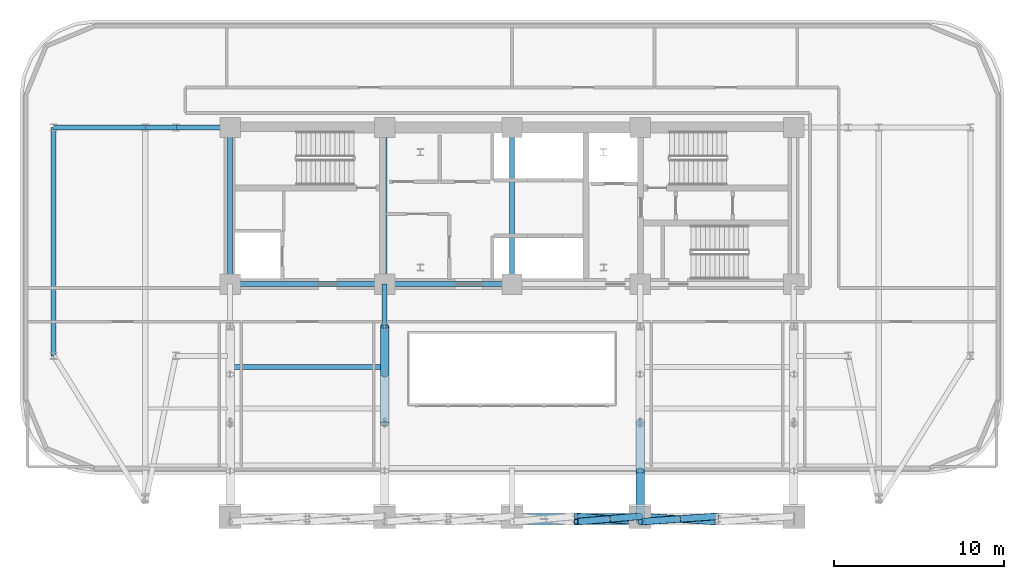
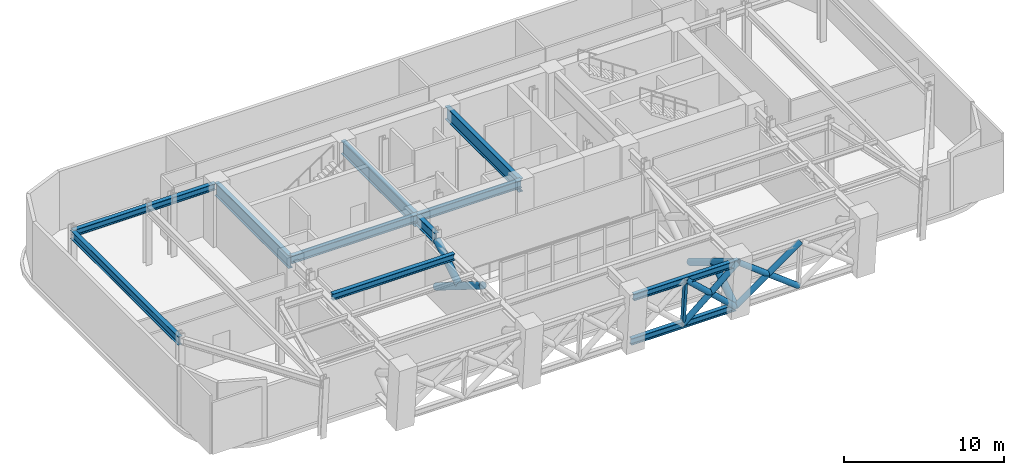
# One storey, part 3 of 13: 13 members, 11 beams.
"""IFC4 building model written with IfcOpenShell, lengths in metres."""

from ifc_helpers import new_model, si_unit, direction, frame, origin, origin_2d, place, context, subcontext, project, spatial, hollow_rectangle, hollow_circle, i_section, extrude, material, material_profile, profile_set, type_object, element, save


model = new_model("IFC4")

# Units and contexts
model_context = context("Model", 3, precision=1e-05, world=origin(), true_north=direction((0.0, 1.0)))
body_context = subcontext(model_context, "Body", "Model", "MODEL_VIEW")
ifc_project = project(units=[si_unit("LENGTHUNIT", "METRE"), si_unit("AREAUNIT", "SQUARE_METRE"), si_unit("VOLUMEUNIT", "CUBIC_METRE"), si_unit("PLANEANGLEUNIT", "RADIAN"), si_unit("MASSUNIT", "GRAM", prefix="KILO")], contexts=[model_context])

# Site, building, storey
site_placement = place(None, origin())
site = spatial("IfcSite", under=ifc_project, at=site_placement, CompositionType="ELEMENT")
building_placement = place(site_placement, origin())
building = spatial("IfcBuilding", under=site, at=building_placement, Name="Zarnavel Station Tower", CompositionType="ELEMENT")
storey_placement = place(building_placement, frame((0.0, 0.0, 132.89990234375)))
storey = spatial("IfcBuildingStorey", under=building, at=storey_placement, Name="L36", CompositionType="ELEMENT", Elevation=132.89990234375)

# Members
ifc_material_1 = material(Name="Steel S460M", Category="steel")
ifc_material_profile_1 = material_profile(ifc_material_1, i_section(OverallWidth=0.300048828125, OverallDepth=0.5, WebThickness=0.014404296875, FlangeThickness=0.028076171875, FilletRadius=0.027099609375, at=origin_2d()), Name="HEB500")
ifc_profile_set_1 = profile_set([ifc_material_profile_1], Name="Steel S460M")
member_type_1 = type_object("IfcMemberType", Name="BT_CHORD_HEB500", PredefinedType="CHORD", material=ifc_profile_set_1)
for number, where, z_axis, x_axis, name in (
    (1, (28.800048828125, 14.148193359375, 0.400146484375), (1.0, 0.0, 0.0), (0.0, 1.0, 0.0), "L36 Perimeter Belt Truss Bottom Chord 3"),
    (2, (28.800048828125, 13.823974609375, 3.97998046875), (1.0, 0.0, 0.0), (0.0, 1.0, 0.0), "L36 Perimeter Belt Truss Top Chord 3"),
):
    element("IfcMember", number, at=place(storey_placement, frame(where, z_axis=z_axis, x_axis=x_axis)), inside=storey, type_object=member_type_1, Name=name, PredefinedType="CHORD", context=body_context, shape_type="SweptSolid", body=[
        extrude(i_section(OverallWidth=0.300048828125, OverallDepth=0.5, WebThickness=0.014404296875, FlangeThickness=0.028076171875, FilletRadius=0.027099609375, at=origin_2d()), origin(), (0.0, 0.0, 1.0), 7.550048828125),
    ])
ifc_material_2 = material(Name="Steel S460M", Category="steel")
ifc_material_profile_2 = material_profile(ifc_material_2, hollow_circle(Radius=0.203125, WallThickness=0.01611328125, at=origin_2d()), Name="CHS406.4x16")
ifc_profile_set_2 = profile_set([ifc_material_profile_2], Name="Steel S460M")
member_type_2 = type_object("IfcMemberType", Name="BT_DIAG_CHS406", PredefinedType="BRACE", material=ifc_profile_set_2)
member_1_placement = place(storey_placement, frame((32.574951171875, 14.148193359375, 0.400146484375), z_axis=(0.724223352377, -0.062198060658, 0.686754641137), x_axis=(0.08556744495, 0.996332380466, 0.0)))
element("IfcMember", 3, at=member_1_placement, inside=storey, type_object=member_type_2, Name="L36 Belt Truss Continuous Diagonal A2 3", PredefinedType="BRACE", context=body_context, shape_type="SweptSolid", body=[
    extrude(hollow_circle(Radius=0.203125, WallThickness=0.01611328125, at=origin_2d()), origin(), (0.0, 0.0, 1.0), 5.212646484375),
])
member_2_placement = place(storey_placement, frame((36.35009765625, 14.148193359375, 0.400146484375), z_axis=(-0.724222328454, -0.062193950607, 0.686756093149), x_axis=(0.085561952128, -0.996332852187, 0.0)))
element("IfcMember", 4, at=member_2_placement, inside=storey, type_object=member_type_2, Name="L36 Belt Truss Split Diagonal B2 Lower 3", PredefinedType="BRACE", context=body_context, shape_type="SweptSolid", body=[
    extrude(hollow_circle(Radius=0.203125, WallThickness=0.01611328125, at=origin_2d()), origin(), (0.0, 0.0, 1.0), 2.6064453125),
])
member_3_placement = place(storey_placement, frame((34.46240234375, 13.986083984375, 2.190185546875), z_axis=(-0.72422437642, -0.062202171251, 0.686753188919), x_axis=(0.085572938474, -0.996331908653, 0.0)))
element("IfcMember", 5, at=member_3_placement, inside=storey, type_object=member_type_2, Name="L36 Belt Truss Split Diagonal B2 Upper 3", PredefinedType="BRACE", context=body_context, shape_type="SweptSolid", body=[
    extrude(hollow_circle(Radius=0.203125, WallThickness=0.01611328125, at=origin_2d()), origin(), (0.0, 0.0, 1.0), 2.606201171875),
])
member_4_placement = place(storey_placement, frame((36.35009765625, 14.148193359375, 0.400146484375), z_axis=(0.783011299296, -0.056104403014, 0.619472034185), x_axis=(0.07146887229, 0.997442830589, 0.0)))
element("IfcMember", 6, at=member_4_placement, inside=storey, type_object=member_type_2, Name="L36 Belt Truss Continuous Diagonal A1 4", PredefinedType="BRACE", context=body_context, shape_type="SweptSolid", body=[
    extrude(hollow_circle(Radius=0.203125, WallThickness=0.01611328125, at=origin_2d()), origin(), (0.0, 0.0, 1.0), 5.77880859375),
])
for number, where, z_axis, x_axis, name in (
    (7, (40.875, 14.148193359375, 0.400146484375), (-0.782990807201, -0.056102934713, 0.619498068242), (0.07146887229, -0.997442830589, 0.0), "L36 Belt Truss Split Diagonal B1 Lower 4"),
    (8, (38.612548828125, 13.986083984375, 2.190185546875), (-0.783031791603, -0.056105871331, 0.619445998083), (0.07146887229, -0.997442830589, 0.0), "L36 Belt Truss Split Diagonal B1 Upper 4"),
):
    element("IfcMember", number, at=place(storey_placement, frame(where, z_axis=z_axis, x_axis=x_axis)), inside=storey, type_object=member_type_2, Name=name, PredefinedType="BRACE", context=body_context, shape_type="SweptSolid", body=[
        extrude(hollow_circle(Radius=0.203125, WallThickness=0.01611328125, at=origin_2d()), origin(), (0.0, 0.0, 1.0), 2.889404296875),
    ])
ifc_material_3 = material(Name="Steel S460M", Category="steel")
ifc_material_profile_3 = material_profile(ifc_material_3, hollow_rectangle(XDim=0.199951171875, YDim=0.300048828125, WallThickness=0.012451171875, at=origin_2d()), Name="RHS300x200x12.5")
ifc_profile_set_3 = profile_set([ifc_material_profile_3], Name="Steel S460M")
member_type_3 = type_object("IfcMemberType", Name="BT_POST_RHS300", PredefinedType="POST", material=ifc_profile_set_3)
member_5_placement = place(storey_placement, frame((32.574951171875, 14.148193359375, 0.400146484375), z_axis=(0.0, -0.090198920139, 0.995923769576), x_axis=(1.0, 0.0, 0.0)))
element("IfcMember", 9, at=member_5_placement, inside=storey, type_object=member_type_3, Name="L36 Belt Truss Mid-Bay Post 3", PredefinedType="POST", context=body_context, shape_type="SweptSolid", body=[
    extrude(hollow_rectangle(XDim=0.199951171875, YDim=0.300048828125, WallThickness=0.012451171875, at=origin_2d()), origin(), (0.0, 0.0, 1.0), 3.594482421875),
])

# Beams
ifc_material_4 = material(Name="Steel S355J2", Category="steel")
ifc_material_profile_4 = material_profile(ifc_material_4, i_section(OverallWidth=0.300048828125, OverallDepth=0.489990234375, WebThickness=0.011962890625, FlangeThickness=0.02294921875, FilletRadius=0.027099609375, at=origin_2d()), Name="HEA500")
ifc_profile_set_4 = profile_set([ifc_material_profile_4], Name="Steel S355J2")
beam_type_1 = type_object("IfcBeamType", Name="FB_HEA500", PredefinedType="BEAM", material=ifc_profile_set_4)
beam_1_placement = place(storey_placement, frame((12.344970703125, 22.944580078125, 4.235107421875), z_axis=(1.0, 0.0, 0.0), x_axis=(0.0, 1.0, 0.0)))
element("IfcBeam", 10, at=beam_1_placement, inside=storey, type_object=beam_type_1, Name="L36 West Bay Beam 3", PredefinedType="BEAM", context=body_context, shape_type="SweptSolid", body=[
    extrude(i_section(OverallWidth=0.300048828125, OverallDepth=0.489990234375, WebThickness=0.011962890625, FlangeThickness=0.02294921875, FilletRadius=0.027099609375, at=origin_2d()), origin(), (0.0, 0.0, 1.0), 8.81005859375),
])
ifc_material_5 = material(Name="Steel S355J2", Category="steel")
ifc_material_profile_5 = material_profile(ifc_material_5, i_section(OverallWidth=0.300048828125, OverallDepth=0.5, WebThickness=0.014404296875, FlangeThickness=0.028076171875, FilletRadius=0.027099609375, at=origin_2d()), Name="HEB500")
ifc_profile_set_5 = profile_set([ifc_material_profile_5], Name="Steel S355J2")
beam_type_2 = type_object("IfcBeamType", Name="FG_HEB500", PredefinedType="USERDEFINED", material=ifc_profile_set_5)
beam_2_placement = place(storey_placement, frame((1.800048828125, 37.050048828125, 4.22998046875), z_axis=(1.0, 0.0, 0.0), x_axis=(0.0, 1.0, 0.0)))
element("IfcBeam", 11, at=beam_2_placement, inside=storey, type_object=beam_type_2, Name="L36 West Wing North Tie 1", ObjectType="GIRDER", PredefinedType="USERDEFINED", context=body_context, shape_type="SweptSolid", body=[
    extrude(i_section(OverallWidth=0.300048828125, OverallDepth=0.5, WebThickness=0.014404296875, FlangeThickness=0.028076171875, FilletRadius=0.027099609375, at=origin_2d()), origin(), (0.0, 0.0, 1.0), 5.39990234375),
])
beam_3_placement = place(storey_placement, frame((7.199951171875, 37.050048828125, 4.22998046875), z_axis=(1.0, 0.0, 0.0), x_axis=(0.0, 1.0, 0.0)))
element("IfcBeam", 12, at=beam_3_placement, inside=storey, type_object=beam_type_2, Name="L36 West Wing North Tie 2", ObjectType="GIRDER", PredefinedType="USERDEFINED", context=body_context, shape_type="SweptSolid", body=[
    extrude(i_section(OverallWidth=0.300048828125, OverallDepth=0.5, WebThickness=0.014404296875, FlangeThickness=0.028076171875, FilletRadius=0.027099609375, at=origin_2d()), origin(), (0.0, 0.0, 1.0), 1.800048828125),
])
beam_4_placement = place(storey_placement, frame((9.0, 37.050048828125, 4.22998046875), z_axis=(1.0, 0.0, 0.0), x_axis=(0.0, 1.0, 0.0)))
element("IfcBeam", 13, at=beam_4_placement, inside=storey, type_object=beam_type_2, Name="L36 West Wing North Tie 3", ObjectType="GIRDER", PredefinedType="USERDEFINED", context=body_context, shape_type="SweptSolid", body=[
    extrude(i_section(OverallWidth=0.300048828125, OverallDepth=0.5, WebThickness=0.014404296875, FlangeThickness=0.028076171875, FilletRadius=0.027099609375, at=origin_2d()), origin(), (0.0, 0.0, 1.0), 3.054931640625),
])
ifc_material_6 = material(Name="Steel S355J2", Category="steel")
ifc_material_profile_6 = material_profile(ifc_material_6, i_section(OverallWidth=0.300048828125, OverallDepth=0.60009765625, WebThickness=0.015380859375, FlangeThickness=0.030029296875, FilletRadius=0.027099609375, at=origin_2d()), Name="HEB600")
ifc_profile_set_6 = profile_set([ifc_material_profile_6], Name="Steel S355J2")
beam_type_3 = type_object("IfcBeamType", Name="FG_HEB600", PredefinedType="USERDEFINED", material=ifc_profile_set_6)
beam_5_placement = place(storey_placement, frame((12.199951171875, 27.820068359375, 4.18017578125), z_axis=(1.0, 0.0, 0.0), x_axis=(0.0, 1.0, 0.0)))
element("IfcBeam", 14, at=beam_5_placement, inside=storey, type_object=beam_type_3, Name="L36 Core Front Coupling Beam 1", ObjectType="GIRDER", PredefinedType="USERDEFINED", context=body_context, shape_type="SweptSolid", body=[
    extrude(i_section(OverallWidth=0.300048828125, OverallDepth=0.60009765625, WebThickness=0.015380859375, FlangeThickness=0.030029296875, FilletRadius=0.027099609375, at=origin_2d()), origin(), (0.0, 0.0, 1.0), 9.10009765625),
])
beam_6_placement = place(storey_placement, frame((21.300048828125, 27.820068359375, 4.18017578125), z_axis=(1.0, 0.0, 0.0), x_axis=(0.0, 1.0, 0.0)))
element("IfcBeam", 15, at=beam_6_placement, inside=storey, type_object=beam_type_3, Name="L36 Core Front Coupling Beam 2", ObjectType="GIRDER", PredefinedType="USERDEFINED", context=body_context, shape_type="SweptSolid", body=[
    extrude(i_section(OverallWidth=0.300048828125, OverallDepth=0.60009765625, WebThickness=0.015380859375, FlangeThickness=0.030029296875, FilletRadius=0.027099609375, at=origin_2d()), origin(), (0.0, 0.0, 1.0), 7.5),
])
ifc_material_7 = material(Name="Steel S355J2", Category="steel")
ifc_material_profile_7 = material_profile(ifc_material_7, i_section(OverallWidth=0.300048828125, OverallDepth=0.64990234375, WebThickness=0.01611328125, FlangeThickness=0.031005859375, FilletRadius=0.027099609375, at=origin_2d()), Name="HEB650")
ifc_profile_set_7 = profile_set([ifc_material_profile_7], Name="Steel S355J2")
beam_type_4 = type_object("IfcBeamType", Name="FG_HEB650", PredefinedType="USERDEFINED", material=ifc_profile_set_7)
beam_7_placement = place(storey_placement, frame((1.800048828125, 23.60009765625, 4.155029296875), z_axis=(0.0, 1.0, 0.0), x_axis=(-1.0, 0.0, 0.0)))
element("IfcBeam", 16, at=beam_7_placement, inside=storey, type_object=beam_type_4, Name="L36 Wing NS Girder 1", ObjectType="GIRDER", PredefinedType="USERDEFINED", context=body_context, shape_type="SweptSolid", body=[
    extrude(i_section(OverallWidth=0.300048828125, OverallDepth=0.64990234375, WebThickness=0.01611328125, FlangeThickness=0.031005859375, FilletRadius=0.027099609375, at=origin_2d()), origin(), (0.0, 0.0, 1.0), 13.449951171875),
])
ifc_material_8 = material(Name="Steel S460M", Category="steel")
ifc_material_profile_8 = material_profile(ifc_material_8, i_section(OverallWidth=0.302978515625, OverallDepth=0.81396484375, WebThickness=0.02099609375, FlangeThickness=0.0400390625, FilletRadius=0.030029296875, at=origin_2d()), Name="HEM800")
ifc_profile_set_8 = profile_set([ifc_material_profile_8], Name="Steel S460M")
beam_type_5 = type_object("IfcBeamType", Name="FG_HEM800", PredefinedType="USERDEFINED", material=ifc_profile_set_8)
beam_8_placement = place(storey_placement, frame((21.300048828125, 25.35009765625, 4.072998046875), z_axis=(0.0, 1.0, 0.0), x_axis=(-1.0, 0.0, 0.0)))
element("IfcBeam", 17, at=beam_8_placement, inside=storey, type_object=beam_type_5, Name="L36 Inner-Zone NS Girder 2", ObjectType="GIRDER", PredefinedType="USERDEFINED", context=body_context, shape_type="SweptSolid", body=[
    extrude(i_section(OverallWidth=0.302978515625, OverallDepth=0.81396484375, WebThickness=0.02099609375, FlangeThickness=0.0400390625, FilletRadius=0.030029296875, at=origin_2d()), origin(), (0.0, 0.0, 1.0), 2.469970703125),
])

# Members
ifc_material_9 = material(Name="Steel S460M", Category="steel")
ifc_material_profile_9 = material_profile(ifc_material_9, hollow_circle(Radius=0.25390625, WallThickness=0.02001953125, at=origin_2d()), Name="CHS508x20")
ifc_profile_set_9 = profile_set([ifc_material_profile_9], Name="Steel S460M")
member_type_4 = type_object("IfcMemberType", Name="OT_DIAG_CHS508", PredefinedType="STRUT", material=ifc_profile_set_9)
member_6_placement = place(storey_placement, frame((21.300048828125, 25.35009765625, 0.400146484375), z_axis=(0.0, -0.849462756708, 0.527648580938), x_axis=(1.0, 0.0, 0.0)))
element("IfcMember", 18, at=member_6_placement, inside=storey, type_object=member_type_4, Name="L36 Outrigger Continuous Inner Diagonal 2", PredefinedType="STRUT", context=body_context, shape_type="SweptSolid", body=[
    extrude(hollow_circle(Radius=0.25390625, WallThickness=0.02001953125, at=origin_2d()), origin(), (0.0, 0.0, 1.0), 6.784423828125),
])
member_7_placement = place(storey_placement, frame((21.300048828125, 22.509033203125, 2.190185546875), z_axis=(0.0, 0.846101683144, 0.533021520936), x_axis=(-1.0, 0.0, 0.0)))
element("IfcMember", 19, at=member_7_placement, inside=storey, type_object=member_type_4, Name="L36 Outrigger Split Inner Strut Upper 2", PredefinedType="STRUT", context=body_context, shape_type="SweptSolid", body=[
    extrude(hollow_circle(Radius=0.25390625, WallThickness=0.02001953125, at=origin_2d()), origin(), (0.0, 0.0, 1.0), 3.35791015625),
])
member_8_placement = place(storey_placement, frame((36.35009765625, 19.749267578125, 0.400146484375), z_axis=(0.0, -0.85591749309, 0.517112410432), x_axis=(1.0, 0.0, 0.0)))
element("IfcMember", 20, at=member_8_placement, inside=storey, type_object=member_type_4, Name="L36 Outrigger Continuous Outer Diagonal 3", PredefinedType="STRUT", context=body_context, shape_type="SweptSolid", body=[
    extrude(hollow_circle(Radius=0.25390625, WallThickness=0.02001953125, at=origin_2d()), origin(), (0.0, 0.0, 1.0), 6.9228515625),
])
member_9_placement = place(storey_placement, frame((36.35009765625, 14.148193359375, 0.400146484375), z_axis=(0.0, 0.831466958854, 0.555574204166), x_axis=(-1.0, 0.0, 0.0)))
element("IfcMember", 21, at=member_9_placement, inside=storey, type_object=member_type_4, Name="L36 Outrigger Split Outer Strut Lower 3", PredefinedType="STRUT", context=body_context, shape_type="SweptSolid", body=[
    extrude(hollow_circle(Radius=0.25390625, WallThickness=0.02001953125, at=origin_2d()), origin(), (0.0, 0.0, 1.0), 3.221923828125),
])

# Beams
ifc_material_10 = material(Name="Steel S460M", Category="steel")
ifc_material_profile_10 = material_profile(ifc_material_10, i_section(OverallWidth=0.302001953125, OverallDepth=1.008056640625, WebThickness=0.02099609375, FlangeThickness=0.0400390625, FilletRadius=0.030029296875, at=origin_2d()), Name="HEM1000")
ifc_profile_set_10 = profile_set([ifc_material_profile_10], Name="Steel S460M")
beam_type_6 = type_object("IfcBeamType", Name="TG_HEM1000", PredefinedType="USERDEFINED", material=ifc_profile_set_10)
for number, where, z_axis, x_axis, name in (
    (22, (12.199951171875, 27.820068359375, 3.97607421875), (0.0, 1.0, 0.0), (-1.0, 0.0, 0.0), "L36 Core Spine Coupling Girder 1"),
    (23, (21.300048828125, 27.820068359375, 3.97607421875), (0.0, 1.0, 0.0), (-1.0, 0.0, 0.0), "L36 Core Spine Coupling Girder 2"),
    (24, (28.800048828125, 27.820068359375, 3.97607421875), (0.0, 1.0, 0.0), (-1.0, 0.0, 0.0), "L36 Core Spine Coupling Girder 3"),
):
    element("IfcBeam", number, at=place(storey_placement, frame(where, z_axis=z_axis, x_axis=x_axis)), inside=storey, type_object=beam_type_6, Name=name, ObjectType="GIRDER", PredefinedType="USERDEFINED", context=body_context, shape_type="SweptSolid", body=[
        extrude(i_section(OverallWidth=0.302001953125, OverallDepth=1.008056640625, WebThickness=0.02099609375, FlangeThickness=0.0400390625, FilletRadius=0.030029296875, at=origin_2d()), origin(), (0.0, 0.0, 1.0), 9.22998046875),
    ])

save(model, "model.ifc")
